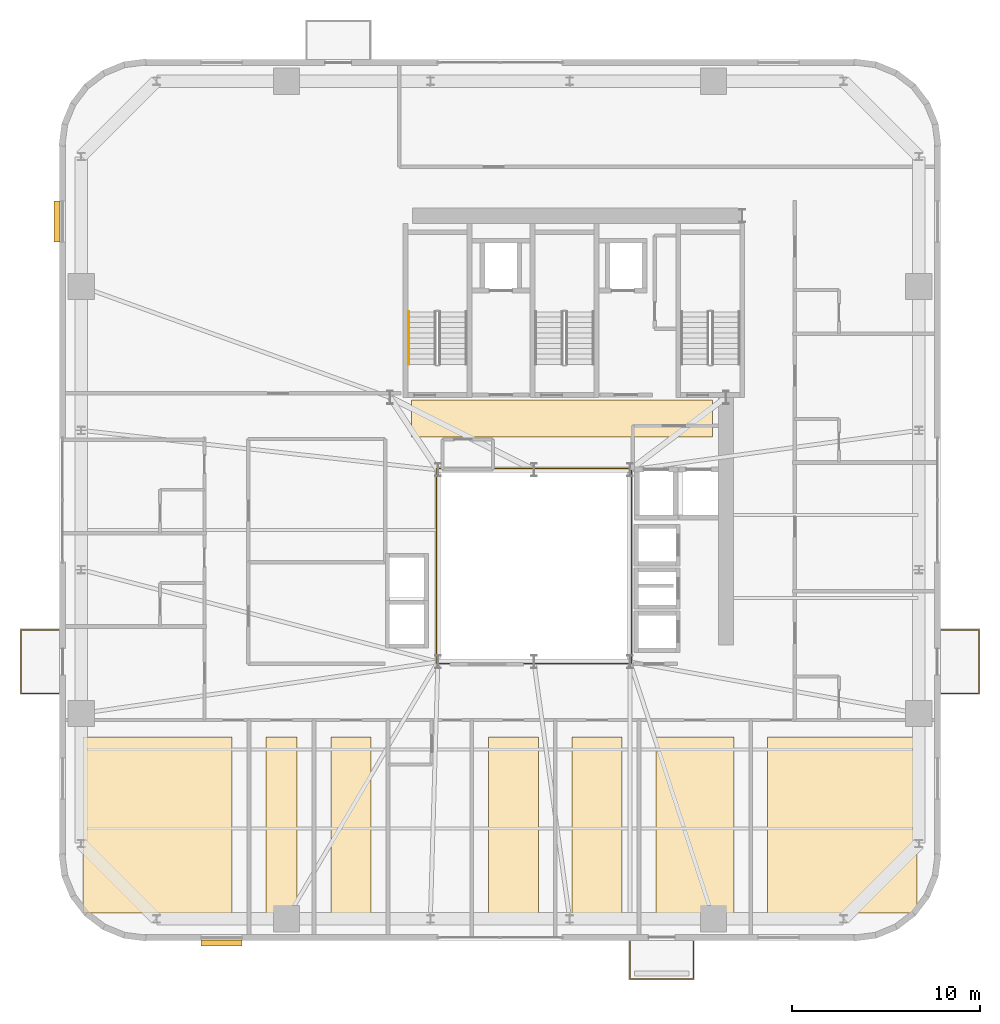
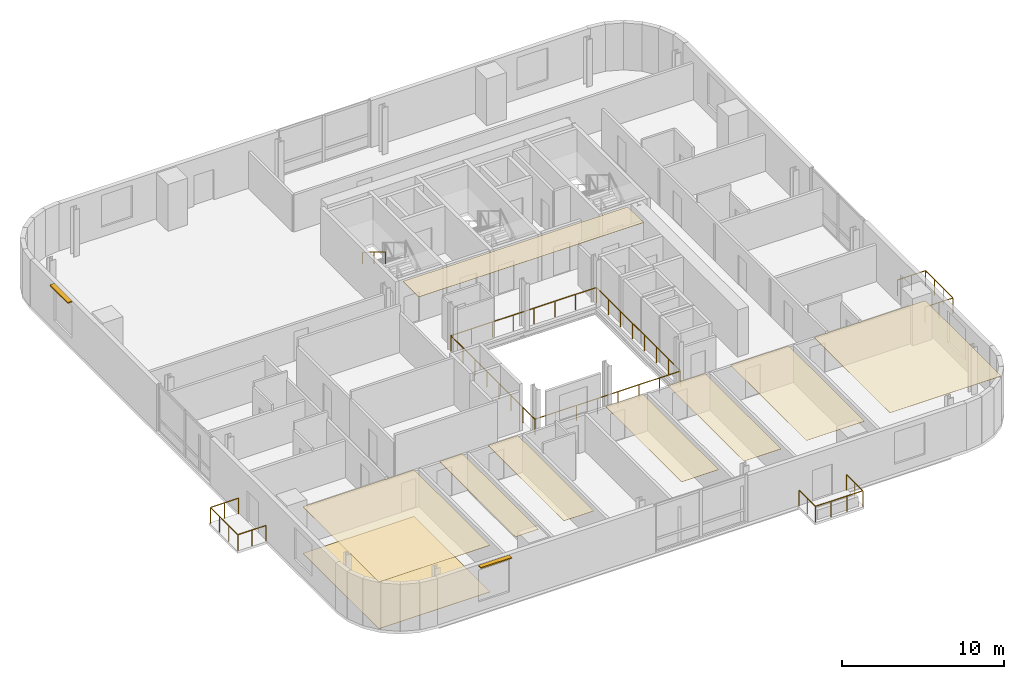
# One storey, part 11 of 12: 9 coverings, 5 railings, 2 shading devices.
"""IFC4 building model written with IfcOpenShell, lengths in metres."""

from ifc_helpers import new_model, si_unit, direction, frame, origin, origin_2d, place, context, subcontext, project, spatial, polyline, rectangle, outline, extrude, source, transform, mapped, material, layer, layer_set, type_object, element, save


model = new_model("IFC4")

# Units and contexts
model_context = context("Model", 3, precision=1e-05, world=origin(), true_north=direction((0.0, 1.0)))
body_context = subcontext(model_context, "Body", "Model", "MODEL_VIEW")
ifc_project = project(units=[si_unit("LENGTHUNIT", "METRE"), si_unit("AREAUNIT", "SQUARE_METRE"), si_unit("VOLUMEUNIT", "CUBIC_METRE"), si_unit("PLANEANGLEUNIT", "RADIAN"), si_unit("MASSUNIT", "GRAM", prefix="KILO")], contexts=[model_context])

# Site, building, storey
site_placement = place(None, origin())
site = spatial("IfcSite", under=ifc_project, at=site_placement, CompositionType="ELEMENT")
building_placement = place(site_placement, origin())
building = spatial("IfcBuilding", under=site, at=building_placement, Name="Vardaveli Station Tower", CompositionType="ELEMENT")
storey_placement = place(building_placement, frame((0.0, 0.0, 214.800048828125)))
storey = spatial("IfcBuildingStorey", under=building, at=storey_placement, Name="L55", CompositionType="ELEMENT", Elevation=214.800048828125)

# Coverings
ifc_material_1 = material(Name="Perforated acoustic mineral ceiling")
ifc_layer_1 = layer(ifc_material_1, 0.02001953125, Name="Perforated acoustic mineral ceiling")
ifc_layer_set_1 = layer_set([ifc_layer_1], Name="Perforated acoustic mineral ceiling")
covering_type_1 = type_object("IfcCoveringType", Name="COV-CEIL-AC20", PredefinedType="CEILING", material=ifc_layer_set_1)
covering_1_placement = place(storey_placement, frame((0.0, 0.0, 3.514892578125)))
element("IfcCovering", 1, at=covering_1_placement, inside=storey, type_object=covering_type_1, Name="CEIL-L55-1", PredefinedType="CEILING", context=body_context, shape_type="SweptSolid", body=[
    extrude(outline(polyline([(12.35009765625, 3.25), (20.27001953125, 3.25), (20.27001953125, 12.610107421875), (12.35009765625, 12.610107421875), (12.35009765625, 3.25)])), origin(), (0.0, 0.0, 1.0), 0.02001953125),
])
covering_2_placement = place(storey_placement, frame((0.0, 0.0, 3.514892578125)))
element("IfcCovering", 2, at=covering_2_placement, inside=storey, type_object=covering_type_1, Name="CEIL-L55-2", PredefinedType="CEILING", context=body_context, shape_type="SweptSolid", body=[
    extrude(outline(polyline([(22.070068359375, 3.25), (23.719970703125, 3.25), (23.719970703125, 12.610107421875), (22.070068359375, 12.610107421875), (22.070068359375, 3.25)])), origin(), (0.0, 0.0, 1.0), 0.02001953125),
])
covering_3_placement = place(storey_placement, frame((0.0, 0.0, 3.514892578125)))
element("IfcCovering", 3, at=covering_3_placement, inside=storey, type_object=covering_type_1, Name="CEIL-L55-3", PredefinedType="CEILING", context=body_context, shape_type="SweptSolid", body=[
    extrude(outline(polyline([(25.52001953125, 3.25), (27.6533203125, 3.25), (27.6533203125, 12.610107421875), (25.52001953125, 12.610107421875), (25.52001953125, 3.25)])), origin(), (0.0, 0.0, 1.0), 0.02001953125),
])
covering_4_placement = place(storey_placement, frame((0.0, 0.0, 3.514892578125)))
element("IfcCovering", 4, at=covering_4_placement, inside=storey, type_object=covering_type_1, Name="CEIL-L55-4", PredefinedType="CEILING", context=body_context, shape_type="SweptSolid", body=[
    extrude(outline(polyline([(33.89501953125, 3.25), (36.53662109375, 3.25), (36.53662109375, 12.610107421875), (33.89501953125, 12.610107421875), (33.89501953125, 3.25)])), origin(), (0.0, 0.0, 1.0), 0.02001953125),
])
covering_5_placement = place(storey_placement, frame((0.0, 0.0, 3.514892578125)))
element("IfcCovering", 5, at=covering_5_placement, inside=storey, type_object=covering_type_1, Name="CEIL-L55-5", PredefinedType="CEILING", context=body_context, shape_type="SweptSolid", body=[
    extrude(outline(polyline([(38.336669921875, 3.25), (40.978271484375, 3.25), (40.978271484375, 12.610107421875), (38.336669921875, 12.610107421875), (38.336669921875, 3.25)])), origin(), (0.0, 0.0, 1.0), 0.02001953125),
])
covering_6_placement = place(storey_placement, frame((0.0, 0.0, 3.514892578125)))
element("IfcCovering", 6, at=covering_6_placement, inside=storey, type_object=covering_type_1, Name="CEIL-L55-6", PredefinedType="CEILING", context=body_context, shape_type="SweptSolid", body=[
    extrude(outline(polyline([(42.7783203125, 3.25), (46.919921875, 3.25), (46.919921875, 12.610107421875), (42.7783203125, 12.610107421875), (42.7783203125, 3.25)])), origin(), (0.0, 0.0, 1.0), 0.02001953125),
])
covering_7_placement = place(storey_placement, frame((0.0, 0.0, 3.514892578125)))
element("IfcCovering", 7, at=covering_7_placement, inside=storey, type_object=covering_type_1, Name="CEIL-L55-7", PredefinedType="CEILING", context=body_context, shape_type="SweptSolid", body=[
    extrude(outline(polyline([(48.719970703125, 3.25), (56.64990234375, 3.25), (56.64990234375, 12.610107421875), (48.719970703125, 12.610107421875), (48.719970703125, 3.25)])), origin(), (0.0, 0.0, 1.0), 0.02001953125),
])
covering_8_placement = place(storey_placement, frame((0.0, 0.0, 3.514892578125)))
element("IfcCovering", 8, at=covering_8_placement, inside=storey, type_object=covering_type_1, Name="CEIL-L55-8", PredefinedType="CEILING", context=body_context, shape_type="SweptSolid", body=[
    extrude(outline(polyline([(29.800048828125, 28.550048828125), (45.800048828125, 28.550048828125), (45.800048828125, 30.5), (29.800048828125, 30.5), (29.800048828125, 28.550048828125)])), origin(), (0.0, 0.0, 1.0), 0.02001953125),
])
ifc_material_2 = material(Name="Honed Caucasian basalt and travertine flooring", Category="masonry")
ifc_layer_2 = layer(ifc_material_2, 0.030029296875, Name="Honed Caucasian basalt and travertine flooring")
ifc_layer_set_2 = layer_set([ifc_layer_2], Name="Honed Caucasian basalt and travertine flooring")
covering_type_2 = type_object("IfcCoveringType", Name="COV-FLOOR-ST30", PredefinedType="FLOORING", material=ifc_layer_set_2)
covering_9_placement = place(storey_placement, origin())
element("IfcCovering", 9, at=covering_9_placement, inside=storey, type_object=covering_type_2, Name="FLR-L55-1", PredefinedType="FLOORING", context=body_context, shape_type="SweptSolid", body=[
    extrude(outline(polyline([(12.35009765625, 3.25), (20.27001953125, 3.25), (20.27001953125, 12.610107421875), (12.35009765625, 12.610107421875), (12.35009765625, 3.25)])), origin(), (0.0, 0.0, 1.0), 0.030029296875),
])

# Railing
ifc_material_3 = material(Name="Laminated glass and stainless steel balustrade", Category="steel")
railing_type_1 = type_object("IfcRailingType", Name="RL-BAL-1200", PredefinedType="BALUSTRADE", material=ifc_material_3)
shared_shape_1 = source(origin(), body_context, "Body", "SweptSolid", [
    extrude(rectangle(XDim=0.048095703125, YDim=0.048095703125, at=origin_2d()), frame((0.0, 0.0, 1.17578125), z_axis=(0.0, -1.0, 0.0), x_axis=(1.0, 0.0, 0.0)), (0.0, 0.0, 1.0), 2.0),
    extrude(rectangle(XDim=0.048095703125, YDim=0.048095703125, at=origin_2d()), frame((0.0, -2.0, 1.17578125), z_axis=(1.0, 0.0, 0.0), x_axis=(0.0, 1.0, 0.0)), (0.0, 0.0, 1.0), 3.3798828125),
    extrude(rectangle(XDim=0.048095703125, YDim=0.048095703125, at=origin_2d()), frame((3.3798828125, -2.0, 1.17578125), z_axis=(0.0, 1.0, 0.0), x_axis=(-1.0, 0.0, 0.0)), (0.0, 0.0, 1.0), 2.0),
    extrude(rectangle(XDim=0.0419921875, YDim=0.0419921875, at=origin_2d()), origin(), (0.0, 0.0, 1.0), 1.15185546875),
    extrude(rectangle(XDim=0.0419921875, YDim=0.0419921875, at=origin_2d()), frame((0.0, -1.0, 0.0)), (0.0, 0.0, 1.0), 1.15185546875),
    extrude(rectangle(XDim=0.0419921875, YDim=0.0419921875, at=origin_2d()), frame((0.0, -2.0, 0.0)), (0.0, 0.0, 1.0), 1.15185546875),
    extrude(rectangle(XDim=0.0419921875, YDim=0.0419921875, at=origin_2d()), frame((1.126708984375, -2.0, 0.0)), (0.0, 0.0, 1.0), 1.15185546875),
    extrude(rectangle(XDim=0.0419921875, YDim=0.0419921875, at=origin_2d()), frame((2.253173828125, -2.0, 0.0)), (0.0, 0.0, 1.0), 1.15185546875),
    extrude(rectangle(XDim=0.0419921875, YDim=0.0419921875, at=origin_2d()), frame((3.3798828125, -2.0, 0.0)), (0.0, 0.0, 1.0), 1.15185546875),
    extrude(rectangle(XDim=0.0419921875, YDim=0.0419921875, at=origin_2d()), frame((3.3798828125, -1.0, 0.0)), (0.0, 0.0, 1.0), 1.15185546875),
    extrude(rectangle(XDim=0.0419921875, YDim=0.0419921875, at=origin_2d()), frame((3.3798828125, 0.0, 0.0)), (0.0, 0.0, 1.0), 1.15185546875),
])
railing_1_placement = place(storey_placement, frame((41.399658203125, 1.760009765625, 0.0)))
element("IfcRailing", 10, at=railing_1_placement, inside=storey, type_object=railing_type_1, Name="RL-LOG-L55-01", PredefinedType="BALUSTRADE", context=body_context, shape_type="MappedRepresentation", body=[
    mapped(shared_shape_1, transform((0.0, 0.0, 0.0), scale=1.0)),
])

# Shading devices
ifc_material_4 = material(Name="Anodised champagne aluminium sunshade", Category="aluminium")
ifc_layer_3 = layer(ifc_material_4, 0.090087890625, Name="Anodised champagne aluminium sunshade")
ifc_layer_set_3 = layer_set([ifc_layer_3], Name="Anodised champagne aluminium sunshade")
shading_device_type = type_object("IfcShadingDeviceType", Name="SHD-SUNSHADE", PredefinedType="USERDEFINED", material=ifc_layer_set_3)
shared_shape_2 = source(origin(), body_context, "Body", "SweptSolid", [
    extrude(rectangle(XDim=2.199951171875, YDim=0.320068359375, at=origin_2d()), origin(), (0.0, 0.0, 1.0), 0.090087890625),
])
for number, where, z_axis, x_axis, name in (
    (11, (19.705078125, 1.655029296875, 3.40966796875), (0.0, 0.0, 1.0), (1.0, 0.0, 0.0), "SHD-SS-L55-S"),
    (12, (10.955078125, 39.9951171875, 3.40966796875), (0.0, 0.0, 1.0), (0.0, 1.0, 0.0), "SHD-SS-L55-W"),
):
    element("IfcShadingDevice", number, at=place(storey_placement, frame(where, z_axis=z_axis, x_axis=x_axis)), inside=storey, type_object=shading_device_type, Name=name, ObjectType="SUNSHADE", PredefinedType="USERDEFINED", context=body_context, shape_type="MappedRepresentation", body=[
        mapped(shared_shape_2, transform((0.0, 0.0, 0.0), scale=1.0)),
    ])

# Railings
shared_shape_3 = source(origin(), body_context, "Body", "SweptSolid", [
    extrude(rectangle(XDim=0.048095703125, YDim=0.048095703125, at=origin_2d()), frame((0.0, 0.0, 1.17578125), z_axis=(1.0, 0.0, 0.0), x_axis=(0.0, 1.0, 0.0)), (0.0, 0.0, 1.0), 2.0),
    extrude(rectangle(XDim=0.048095703125, YDim=0.048095703125, at=origin_2d()), frame((2.0, 0.0, 1.17578125), z_axis=(0.0, 1.0, 0.0), x_axis=(-1.0, 0.0, 0.0)), (0.0, 0.0, 1.0), 3.3798828125),
    extrude(rectangle(XDim=0.048095703125, YDim=0.048095703125, at=origin_2d()), frame((2.0, 3.3798828125, 1.17578125), z_axis=(-1.0, 0.0, 0.0), x_axis=(0.0, -1.0, 0.0)), (0.0, 0.0, 1.0), 2.0),
    extrude(rectangle(XDim=0.0419921875, YDim=0.0419921875, at=origin_2d()), origin(), (0.0, 0.0, 1.0), 1.15185546875),
    extrude(rectangle(XDim=0.0419921875, YDim=0.0419921875, at=origin_2d()), frame((1.0, 0.0, 0.0)), (0.0, 0.0, 1.0), 1.15185546875),
    extrude(rectangle(XDim=0.0419921875, YDim=0.0419921875, at=origin_2d()), frame((2.0, 0.0, 0.0)), (0.0, 0.0, 1.0), 1.15185546875),
    extrude(rectangle(XDim=0.0419921875, YDim=0.0419921875, at=origin_2d()), frame((2.0, 1.126708984375, 0.0)), (0.0, 0.0, 1.0), 1.15185546875),
    extrude(rectangle(XDim=0.0419921875, YDim=0.0419921875, at=origin_2d()), frame((2.0, 2.253173828125, 0.0)), (0.0, 0.0, 1.0), 1.15185546875),
    extrude(rectangle(XDim=0.0419921875, YDim=0.0419921875, at=origin_2d()), frame((2.0, 3.3798828125, 0.0)), (0.0, 0.0, 1.0), 1.15185546875),
    extrude(rectangle(XDim=0.0419921875, YDim=0.0419921875, at=origin_2d()), frame((1.0, 3.3798828125, 0.0)), (0.0, 0.0, 1.0), 1.15185546875),
    extrude(rectangle(XDim=0.0419921875, YDim=0.0419921875, at=origin_2d()), frame((0.0, 3.3798828125, 0.0)), (0.0, 0.0, 1.0), 1.15185546875),
])
railing_2_placement = place(storey_placement, frame((57.93994140625, 14.92041015625, 0.0)))
element("IfcRailing", 13, at=railing_2_placement, inside=storey, type_object=railing_type_1, Name="RL-LOG-L55-04", PredefinedType="BALUSTRADE", context=body_context, shape_type="MappedRepresentation", body=[
    mapped(shared_shape_3, transform((0.0, 0.0, 0.0), scale=1.0)),
])
shared_shape_4 = source(origin(), body_context, "Body", "SweptSolid", [
    extrude(rectangle(XDim=0.048095703125, YDim=0.048095703125, at=origin_2d()), frame((0.0, 0.0, 1.17578125), z_axis=(-1.0, 0.0, 0.0), x_axis=(0.0, -1.0, 0.0)), (0.0, 0.0, 1.0), 2.0),
    extrude(rectangle(XDim=0.048095703125, YDim=0.048095703125, at=origin_2d()), frame((-2.0, 0.0, 1.17578125), z_axis=(0.0, 1.0, 0.0), x_axis=(-1.0, 0.0, 0.0)), (0.0, 0.0, 1.0), 3.3798828125),
    extrude(rectangle(XDim=0.048095703125, YDim=0.048095703125, at=origin_2d()), frame((-2.0, 3.3798828125, 1.17578125), z_axis=(1.0, 0.0, 0.0), x_axis=(0.0, 1.0, 0.0)), (0.0, 0.0, 1.0), 2.0),
    extrude(rectangle(XDim=0.0419921875, YDim=0.0419921875, at=origin_2d()), origin(), (0.0, 0.0, 1.0), 1.15185546875),
    extrude(rectangle(XDim=0.0419921875, YDim=0.0419921875, at=origin_2d()), frame((-1.0, 0.0, 0.0)), (0.0, 0.0, 1.0), 1.15185546875),
    extrude(rectangle(XDim=0.0419921875, YDim=0.0419921875, at=origin_2d()), frame((-2.0, 0.0, 0.0)), (0.0, 0.0, 1.0), 1.15185546875),
    extrude(rectangle(XDim=0.0419921875, YDim=0.0419921875, at=origin_2d()), frame((-2.0, 1.126708984375, 0.0)), (0.0, 0.0, 1.0), 1.15185546875),
    extrude(rectangle(XDim=0.0419921875, YDim=0.0419921875, at=origin_2d()), frame((-2.0, 2.253173828125, 0.0)), (0.0, 0.0, 1.0), 1.15185546875),
    extrude(rectangle(XDim=0.0419921875, YDim=0.0419921875, at=origin_2d()), frame((-2.0, 3.3798828125, 0.0)), (0.0, 0.0, 1.0), 1.15185546875),
    extrude(rectangle(XDim=0.0419921875, YDim=0.0419921875, at=origin_2d()), frame((-1.0, 3.3798828125, 0.0)), (0.0, 0.0, 1.0), 1.15185546875),
    extrude(rectangle(XDim=0.0419921875, YDim=0.0419921875, at=origin_2d()), frame((0.0, 3.3798828125, 0.0)), (0.0, 0.0, 1.0), 1.15185546875),
])
railing_3_placement = place(storey_placement, frame((11.06005859375, 14.92041015625, 0.0)))
element("IfcRailing", 14, at=railing_3_placement, inside=storey, type_object=railing_type_1, Name="RL-LOG-L55-03", PredefinedType="BALUSTRADE", context=body_context, shape_type="MappedRepresentation", body=[
    mapped(shared_shape_4, transform((0.0, 0.0, 0.0), scale=1.0)),
])
ifc_material_5 = material(Name="Brushed AISI 316 stainless steel", Category="steel")
railing_type_2 = type_object("IfcRailingType", Name="RL-HAND-900", PredefinedType="HANDRAIL", material=ifc_material_5)
shared_shape_5 = source(origin(), body_context, "Body", "SweptSolid", [
    extrude(rectangle(XDim=0.048095703125, YDim=0.048095703125, at=origin_2d()), frame((0.0, 0.0, 0.8759765625), z_axis=(0.0, -0.854169791009, 0.51999420009), x_axis=(1.0, 0.0, 0.0)), (0.0, 0.0, 1.0), 3.278076171875),
    extrude(rectangle(XDim=0.0419921875, YDim=0.0419921875, at=origin_2d()), origin(), (0.0, 0.0, 1.0), 0.851806640625),
    extrude(rectangle(XDim=0.0419921875, YDim=0.0419921875, at=origin_2d()), frame((0.0, -1.39990234375, 0.852294921875)), (0.0, 0.0, 1.0), 0.851806640625),
    extrude(rectangle(XDim=0.0419921875, YDim=0.0419921875, at=origin_2d()), frame((0.0, -2.800048828125, 1.70458984375)), (0.0, 0.0, 1.0), 0.851806640625),
])
railing_4_placement = place(storey_placement, frame((29.64990234375, 35.199951171875, 2.04541015625)))
element("IfcRailing", 15, at=railing_4_placement, inside=storey, type_object=railing_type_2, Name="L55 ST-1 stair handrail 2", PredefinedType="HANDRAIL", context=body_context, shape_type="MappedRepresentation", body=[
    mapped(shared_shape_5, transform((0.0, 0.0, 0.0), scale=1.0)),
])
shared_shape_6 = source(origin(), body_context, "Body", "SweptSolid", [
    extrude(rectangle(XDim=0.048095703125, YDim=0.048095703125, at=origin_2d()), frame((0.0, 0.0, 1.17578125), z_axis=(1.0, 0.0, 0.0), x_axis=(0.0, 1.0, 0.0)), (0.0, 0.0, 1.0), 10.35986328125),
    extrude(rectangle(XDim=0.048095703125, YDim=0.048095703125, at=origin_2d()), frame((10.35986328125, 0.0, 1.17578125), z_axis=(0.0, 1.0, 0.0), x_axis=(-1.0, 0.0, 0.0)), (0.0, 0.0, 1.0), 10.35986328125),
    extrude(rectangle(XDim=0.048095703125, YDim=0.048095703125, at=origin_2d()), frame((10.35986328125, 10.35986328125, 1.17578125), z_axis=(-1.0, 0.0, 0.0), x_axis=(0.0, -1.0, 0.0)), (0.0, 0.0, 1.0), 10.35986328125),
    extrude(rectangle(XDim=0.048095703125, YDim=0.048095703125, at=origin_2d()), frame((0.0, 10.35986328125, 1.17578125), z_axis=(0.0, -1.0, 0.0), x_axis=(1.0, 0.0, 0.0)), (0.0, 0.0, 1.0), 10.35986328125),
    extrude(rectangle(XDim=0.0419921875, YDim=0.0419921875, at=origin_2d()), origin(), (0.0, 0.0, 1.0), 1.15185546875),
    extrude(rectangle(XDim=0.0419921875, YDim=0.0419921875, at=origin_2d()), frame((1.47998046875, 0.0, 0.0)), (0.0, 0.0, 1.0), 1.15185546875),
    extrude(rectangle(XDim=0.0419921875, YDim=0.0419921875, at=origin_2d()), frame((2.9599609375, 0.0, 0.0)), (0.0, 0.0, 1.0), 1.15185546875),
    extrude(rectangle(XDim=0.0419921875, YDim=0.0419921875, at=origin_2d()), frame((4.43994140625, 0.0, 0.0)), (0.0, 0.0, 1.0), 1.15185546875),
    extrude(rectangle(XDim=0.0419921875, YDim=0.0419921875, at=origin_2d()), frame((5.919921875, 0.0, 0.0)), (0.0, 0.0, 1.0), 1.15185546875),
    extrude(rectangle(XDim=0.0419921875, YDim=0.0419921875, at=origin_2d()), frame((7.39990234375, 0.0, 0.0)), (0.0, 0.0, 1.0), 1.15185546875),
    extrude(rectangle(XDim=0.0419921875, YDim=0.0419921875, at=origin_2d()), frame((8.8798828125, 0.0, 0.0)), (0.0, 0.0, 1.0), 1.15185546875),
    extrude(rectangle(XDim=0.0419921875, YDim=0.0419921875, at=origin_2d()), frame((10.35986328125, 0.0, 0.0)), (0.0, 0.0, 1.0), 1.15185546875),
    extrude(rectangle(XDim=0.0419921875, YDim=0.0419921875, at=origin_2d()), frame((10.35986328125, 1.47998046875, 0.0)), (0.0, 0.0, 1.0), 1.15185546875),
    extrude(rectangle(XDim=0.0419921875, YDim=0.0419921875, at=origin_2d()), frame((10.35986328125, 2.9599609375, 0.0)), (0.0, 0.0, 1.0), 1.15185546875),
    extrude(rectangle(XDim=0.0419921875, YDim=0.0419921875, at=origin_2d()), frame((10.35986328125, 4.43994140625, 0.0)), (0.0, 0.0, 1.0), 1.15185546875),
    extrude(rectangle(XDim=0.0419921875, YDim=0.0419921875, at=origin_2d()), frame((10.35986328125, 5.919921875, 0.0)), (0.0, 0.0, 1.0), 1.15185546875),
    extrude(rectangle(XDim=0.0419921875, YDim=0.0419921875, at=origin_2d()), frame((10.35986328125, 7.39990234375, 0.0)), (0.0, 0.0, 1.0), 1.15185546875),
    extrude(rectangle(XDim=0.0419921875, YDim=0.0419921875, at=origin_2d()), frame((10.35986328125, 8.8798828125, 0.0)), (0.0, 0.0, 1.0), 1.15185546875),
    extrude(rectangle(XDim=0.0419921875, YDim=0.0419921875, at=origin_2d()), frame((10.35986328125, 10.35986328125, 0.0)), (0.0, 0.0, 1.0), 1.15185546875),
    extrude(rectangle(XDim=0.0419921875, YDim=0.0419921875, at=origin_2d()), frame((8.8798828125, 10.35986328125, 0.0)), (0.0, 0.0, 1.0), 1.15185546875),
    extrude(rectangle(XDim=0.0419921875, YDim=0.0419921875, at=origin_2d()), frame((7.39990234375, 10.35986328125, 0.0)), (0.0, 0.0, 1.0), 1.15185546875),
    extrude(rectangle(XDim=0.0419921875, YDim=0.0419921875, at=origin_2d()), frame((5.919921875, 10.35986328125, 0.0)), (0.0, 0.0, 1.0), 1.15185546875),
    extrude(rectangle(XDim=0.0419921875, YDim=0.0419921875, at=origin_2d()), frame((4.43994140625, 10.35986328125, 0.0)), (0.0, 0.0, 1.0), 1.15185546875),
    extrude(rectangle(XDim=0.0419921875, YDim=0.0419921875, at=origin_2d()), frame((2.9599609375, 10.35986328125, 0.0)), (0.0, 0.0, 1.0), 1.15185546875),
    extrude(rectangle(XDim=0.0419921875, YDim=0.0419921875, at=origin_2d()), frame((1.47998046875, 10.35986328125, 0.0)), (0.0, 0.0, 1.0), 1.15185546875),
    extrude(rectangle(XDim=0.0419921875, YDim=0.0419921875, at=origin_2d()), frame((0.0, 10.35986328125, 0.0)), (0.0, 0.0, 1.0), 1.15185546875),
    extrude(rectangle(XDim=0.0419921875, YDim=0.0419921875, at=origin_2d()), frame((0.0, 8.8798828125, 0.0)), (0.0, 0.0, 1.0), 1.15185546875),
    extrude(rectangle(XDim=0.0419921875, YDim=0.0419921875, at=origin_2d()), frame((0.0, 7.39990234375, 0.0)), (0.0, 0.0, 1.0), 1.15185546875),
    extrude(rectangle(XDim=0.0419921875, YDim=0.0419921875, at=origin_2d()), frame((0.0, 5.919921875, 0.0)), (0.0, 0.0, 1.0), 1.15185546875),
    extrude(rectangle(XDim=0.0419921875, YDim=0.0419921875, at=origin_2d()), frame((0.0, 4.43994140625, 0.0)), (0.0, 0.0, 1.0), 1.15185546875),
    extrude(rectangle(XDim=0.0419921875, YDim=0.0419921875, at=origin_2d()), frame((0.0, 2.9599609375, 0.0)), (0.0, 0.0, 1.0), 1.15185546875),
    extrude(rectangle(XDim=0.0419921875, YDim=0.0419921875, at=origin_2d()), frame((0.0, 1.47998046875, 0.0)), (0.0, 0.0, 1.0), 1.15185546875),
])
railing_5_placement = place(storey_placement, frame((31.1201171875, 16.52001953125, 0.0)))
element("IfcRailing", 16, at=railing_5_placement, inside=storey, type_object=railing_type_1, Name="RL-ATR-L55", PredefinedType="BALUSTRADE", context=body_context, shape_type="MappedRepresentation", body=[
    mapped(shared_shape_6, transform((0.0, 0.0, 0.0), scale=1.0)),
])

save(model, "model.ifc")
